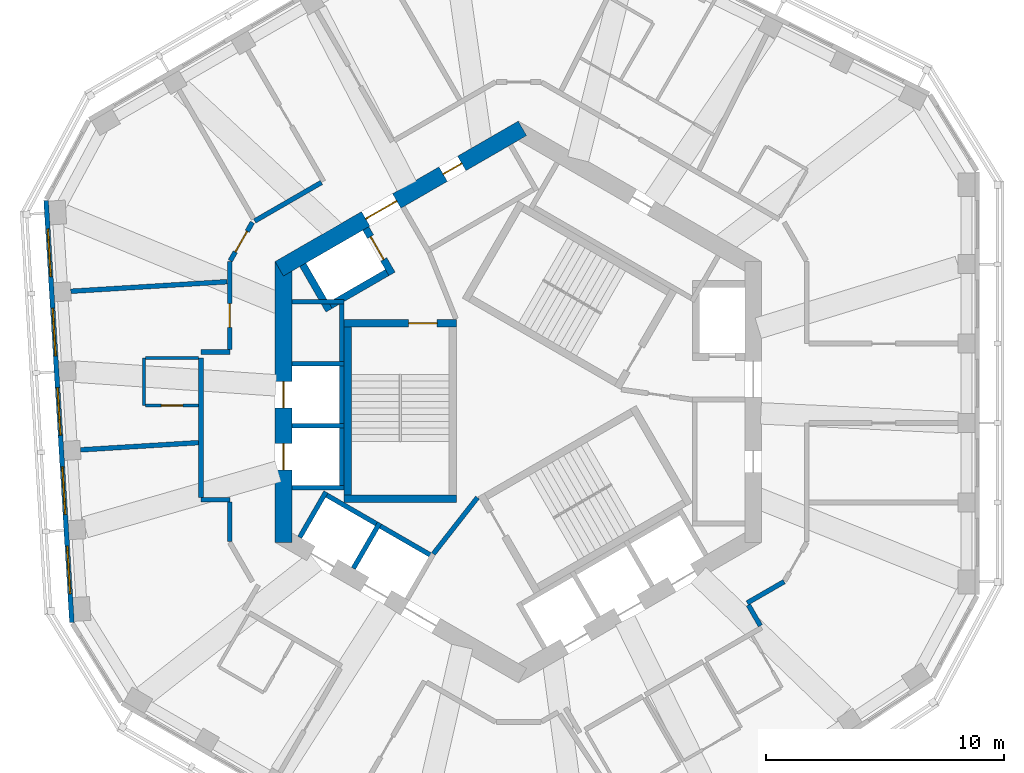
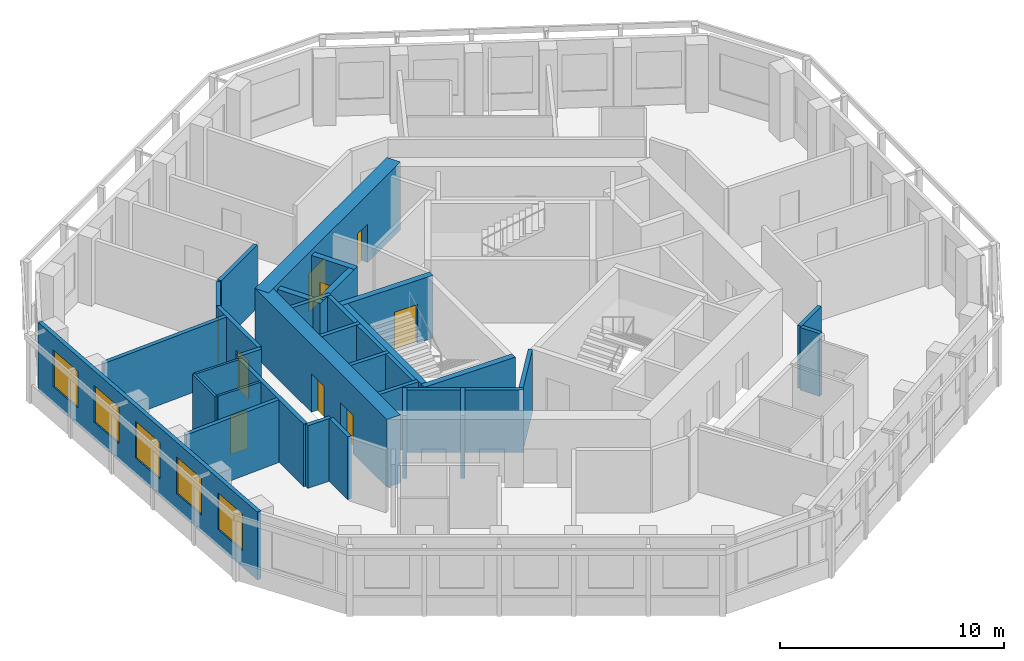
# One storey, part 5 of 11: 32 walls, 9 doors, 5 windows, 14 openings.
"""IFC4 building model written with IfcOpenShell, lengths in metres."""

import ifcopenshell
import ifcopenshell.guid

model = None  # the IFC model being written
_history = None  # IfcOwnerHistory: only IFC2X3 demands one
_inside = {}  # id of a spatial element -> (the spatial element, [elements in it])
_under = {}  # id of a project, library or spatial element -> (it, [spatial elements below it])
_declared = {}  # id of a project -> (the project, [libraries it declares])
_typed = {}  # id of a type object -> (the type object, [elements of that type])
_made_of = {}  # id of a material, layer set ... -> (it, [elements and type objects made of it])


def new_model(schema):
    """Start an empty IFC model of exactly this schema.

    Asked for "IFC4X3", IfcOpenShell would pick the latest addendum, in which some entities
    have other attributes; the version numbers below select the first issue.
    IFC2X3 requires an IfcOwnerHistory on every rooted entity: one is made here for all.
    """
    global model, _history
    if schema == "IFC4X3":
        model = ifcopenshell.file(schema_version=(4, 3, 0, 0))
    else:
        model = ifcopenshell.file(schema=schema)
    _inside.clear()
    _under.clear()
    _declared.clear()
    _typed.clear()
    _made_of.clear()
    _history = None
    if model.schema == "IFC2X3":
        org = make("IfcOrganization", Name="unknown")
        user = make(
            "IfcPersonAndOrganization",
            ThePerson=make("IfcPerson", FamilyName="unknown"),
            TheOrganization=org,
        )
        app = make(
            "IfcApplication",
            ApplicationDeveloper=org,
            Version="unknown",
            ApplicationFullName="unknown",
            ApplicationIdentifier="unknown",
        )
        _history = make(
            "IfcOwnerHistory",
            OwningUser=user,
            OwningApplication=app,
            ChangeAction="ADDED",
            CreationDate=0,
        )
    return model


def make(cls, **values):
    """One entity of the class cls with the attributes given. An attribute that is None is left unset."""
    return model.create_entity(
        cls, **{name: value for name, value in values.items() if value is not None}
    )


def rooted(cls, **values):
    """An entity with a GlobalId (a new one), such as an element, a storey or a relation."""
    return make(cls, GlobalId=ifcopenshell.guid.new(), OwnerHistory=_history, **values)


def si_unit(unit_type, name, prefix=None):
    """IfcSIUnit, for example si_unit("LENGTHUNIT", "METRE", prefix="MILLI")."""
    return make("IfcSIUnit", UnitType=unit_type, Prefix=prefix, Name=name)


def assignment(units):
    """IfcUnitAssignment: the units of a project."""
    return None if units is None else make("IfcUnitAssignment", Units=units)


def point(xyz):
    """IfcCartesianPoint."""
    return None if xyz is None else make("IfcCartesianPoint", Coordinates=xyz)


def direction(xyz):
    """IfcDirection."""
    return None if xyz is None else make("IfcDirection", DirectionRatios=xyz)


def frame(location, z_axis=None, x_axis=None):
    """IfcAxis2Placement3D, a coordinate frame: its origin and axes. An axis left out is left unset."""
    return make(
        "IfcAxis2Placement3D",
        Location=point(location),
        Axis=direction(z_axis),
        RefDirection=direction(x_axis),
    )


def frame_2d(location, x_axis=None):
    """IfcAxis2Placement2D, a coordinate frame in the plane: its origin and x axis."""
    return make(
        "IfcAxis2Placement2D", Location=point(location), RefDirection=direction(x_axis)
    )


def origin():
    """The frame at (0, 0, 0) with its axes left unset."""
    return frame((0.0, 0.0, 0.0))


def place(relative_to, where):
    """IfcLocalPlacement: puts the frame where relative to a parent placement (None: the world)."""
    return make(
        "IfcLocalPlacement", PlacementRelTo=relative_to, RelativePlacement=where
    )


def context(
    kind, dimensions, precision=None, world=None, true_north=None, identifier=None
):
    """IfcGeometricRepresentationContext, for example the 3D "Model" context."""
    return make(
        "IfcGeometricRepresentationContext",
        ContextIdentifier=identifier,
        ContextType=kind,
        CoordinateSpaceDimension=dimensions,
        Precision=precision,
        WorldCoordinateSystem=world,
        TrueNorth=true_north,
    )


def subcontext(parent, identifier, kind, view, scale=None):
    """IfcGeometricRepresentationSubContext, for example "Body" below "Model"."""
    return make(
        "IfcGeometricRepresentationSubContext",
        ContextIdentifier=identifier,
        ContextType=kind,
        ParentContext=parent,
        TargetScale=scale,
        TargetView=view,
    )


def project(units=None, contexts=None):
    """IfcProject with its units and contexts."""
    return rooted(
        "IfcProject",
        Name="project",
        RepresentationContexts=contexts,
        UnitsInContext=assignment(units),
    )


def spatial(cls, under=None, at=None, **own):
    """A site, building, storey or space (cls), placed at a placement, below another one or the project."""
    s = rooted(cls, ObjectPlacement=at, **own)
    if under is not None:
        _under.setdefault(under.id(), (under, []))[1].append(s)
    return s


def profile(cls, at=None, kind="AREA", **sizes):
    """A parametric profile (cls). Its sizes go by their IFC names, for example OverallWidth=200.0."""
    return make(cls, ProfileType=kind, Position=at, **sizes)


def rectangle(**sizes):
    """IfcRectangleProfileDef."""
    return profile("IfcRectangleProfileDef", **sizes)


def extrude(swept, where, along, depth):
    """IfcExtrudedAreaSolid: the profile swept, set in the frame where, extruded along a direction by depth."""
    return make(
        "IfcExtrudedAreaSolid",
        SweptArea=swept,
        Position=where,
        ExtrudedDirection=direction(along),
        Depth=depth,
    )


def shape(context_of_items, identifier, shape_type, items):
    """IfcShapeRepresentation: the items that make up one representation, for example the "Body"."""
    return make(
        "IfcShapeRepresentation",
        ContextOfItems=context_of_items,
        RepresentationIdentifier=identifier,
        RepresentationType=shape_type,
        Items=items,
    )


def material(Name=None, Category=None):
    """IfcMaterial."""
    return make("IfcMaterial", Name=Name, Category=Category)


def layer(
    of_material, thickness, ventilated=None, Name=None, Category=None, Priority=None
):
    """IfcMaterialLayer: one layer of a wall or slab, of a material (None: an air gap)."""
    return make(
        "IfcMaterialLayer",
        Material=of_material,
        LayerThickness=thickness,
        IsVentilated=ventilated,
        Name=Name,
        Category=Category,
        Priority=Priority,
    )


def layer_set(layers, Name=None):
    """IfcMaterialLayerSet."""
    return make("IfcMaterialLayerSet", MaterialLayers=layers, LayerSetName=Name)


def made_of(thing, what):
    """Note that an element or type object is made of a material, layer set ...; save() writes the relation."""
    if what is not None:
        _made_of.setdefault(what.id(), (what, []))[1].append(thing)
    return thing


def type_object(cls, material=None, **own):
    """A type object (cls), such as IfcWallType, which elements share."""
    return made_of(rooted(cls, **own), material)


def element(
    cls,
    number,
    at=None,
    inside=None,
    cuts=None,
    type_object=None,
    material=None,
    context=None,
    identifier="Body",
    shape_type=None,
    held_by="IfcProductDefinitionShape",
    body=None,
    shapes=None,
    **own,
):
    """One element of the class cls, such as IfcWall. Its Tag is "e" and its number.

    at: its placement. inside: the storey or other place that contains it. cuts: it is an
    opening in that element (IfcRelVoidsElement). A single representation is given by context,
    identifier, shape_type and body (its items); several are given by shapes. held_by: the class
    of the entity that holds the representations. save() writes the other relations.
    """
    e = rooted(cls, Tag="e%d" % number, ObjectPlacement=at, **own)
    if body is not None:
        shapes = [shape(context, identifier, shape_type, body)]
    if shapes is not None:
        e.Representation = make(held_by, Representations=shapes)
    if inside is not None:
        _inside.setdefault(inside.id(), (inside, []))[1].append(e)
    if cuts is not None:
        rooted(
            "IfcRelVoidsElement", RelatingBuildingElement=cuts, RelatedOpeningElement=e
        )
    if type_object is not None:
        _typed.setdefault(type_object.id(), (type_object, []))[1].append(e)
    return made_of(e, material)


def fill(opening, filler):
    """IfcRelFillsElement: the door or window that sits in an opening."""
    return rooted(
        "IfcRelFillsElement",
        RelatingOpeningElement=opening,
        RelatedBuildingElement=filler,
    )


def aggregate(whole, parts):
    """IfcRelAggregates: a whole, such as a stair, and the parts it consists of."""
    return rooted("IfcRelAggregates", RelatingObject=whole, RelatedObjects=parts)


def save(model, path):
    """Write the relations noted so far, then the file.

    IfcRelAggregates (storeys below a building ...), IfcRelContainedInSpatialStructure (elements
    in a storey), IfcRelDefinesByType, IfcRelAssociatesMaterial and IfcRelDeclares: one each for
    every whole, place, type object, material and project.
    """
    for whole, parts in _under.values():
        aggregate(whole, parts)
    for where, things in _inside.values():
        rooted(
            "IfcRelContainedInSpatialStructure",
            RelatedElements=things,
            RelatingStructure=where,
        )
    for kind, things in _typed.values():
        rooted("IfcRelDefinesByType", RelatedObjects=things, RelatingType=kind)
    for what, things in _made_of.values():
        rooted("IfcRelAssociatesMaterial", RelatedObjects=things, RelatingMaterial=what)
    for by, libraries in _declared.values():
        rooted("IfcRelDeclares", RelatingContext=by, RelatedDefinitions=libraries)
    model.write(path)


model = new_model("IFC4")

# Units and contexts
model_context = context("Model", 3, precision=1e-05, world=origin(), true_north=direction((0.0, 1.0)))
body_context = subcontext(model_context, "Body", "Model", "MODEL_VIEW")
ifc_project = project(units=[si_unit("LENGTHUNIT", "METRE"), si_unit("AREAUNIT", "SQUARE_METRE"), si_unit("VOLUMEUNIT", "CUBIC_METRE"), si_unit("PLANEANGLEUNIT", "RADIAN"), si_unit("MASSUNIT", "GRAM", prefix="KILO")], contexts=[model_context])

# Site, building, storey
site_placement = place(None, origin())
site = spatial("IfcSite", under=ifc_project, at=site_placement, CompositionType="ELEMENT")
building_placement = place(site_placement, origin())
building = spatial("IfcBuilding", under=site, at=building_placement, Name="Vanh Sen Convention Tower", CompositionType="ELEMENT")
storey_placement = place(building_placement, frame((0.0, 0.0, 285.699951171875)))
storey = spatial("IfcBuildingStorey", under=building, at=storey_placement, Name="L70", CompositionType="ELEMENT", Elevation=285.699951171875)

# Walls
ifc_material_1 = material(Name="Moisture-resistant gypsum board on steel studs", Category="steel")
ifc_layer_1 = layer(ifc_material_1, 0.1201171875)
ifc_layer_set_1 = layer_set([ifc_layer_1], Name="Moisture-resistant gypsum board on steel studs")
wall_type_1 = type_object("IfcWallType", Name="Bathroom partition 120", PredefinedType="PARTITIONING", material=ifc_layer_set_1)
wall_1_placement = place(storey_placement, frame((-15.700927734375, -0.14892578125, 0.0), z_axis=(0.0, 0.0, 1.0), x_axis=(0.0, 1.0, 0.0)))
element("IfcWall", 1, at=wall_1_placement, inside=storey, type_object=wall_type_1, Name="Bathroom partition 120", PredefinedType="PARTITIONING", context=body_context, shape_type="SweptSolid", body=[
    extrude(rectangle(XDim=2.0, YDim=0.1201171875, at=frame_2d((1.0, 0.0))), origin(), (0.0, 0.0, 1.0), 3.420166015625),
])
wall_2_placement = place(storey_placement, frame((-15.64111328125, 1.85107421875, 0.0), z_axis=(0.0, 0.0, 1.0), x_axis=(1.0, 0.0, 0.0)))
element("IfcWall", 2, at=wall_2_placement, inside=storey, type_object=wall_type_1, Name="Bathroom partition 120", PredefinedType="PARTITIONING", context=body_context, shape_type="SweptSolid", body=[
    extrude(rectangle(XDim=2.240234375, YDim=0.1201171875, at=frame_2d((1.1201171875, 0.0))), origin(), (0.0, 0.0, 1.0), 3.420166015625),
])

# Wall, opening, door
wall_3_placement = place(storey_placement, frame((-13.40087890625, -0.14892578125, 0.0), z_axis=(0.0, 0.0, 1.0), x_axis=(-1.0, 0.0, 0.0)))
wall_3 = element("IfcWall", 3, at=wall_3_placement, inside=storey, type_object=wall_type_1, Name="Bathroom partition 120", PredefinedType="PARTITIONING", context=body_context, shape_type="SweptSolid", body=[
    extrude(rectangle(XDim=2.240234375, YDim=0.1201171875, at=frame_2d((1.1201171875, 0.0))), origin(), (0.0, 0.0, 1.0), 3.420166015625),
])
opening_1_placement = place(wall_3_placement, frame((0.669921875, 0.0, 0.0)))
opening_1 = element("IfcOpeningElement", 4, at=opening_1_placement, cuts=wall_3, Name="Opening D70112", PredefinedType="OPENING", context=body_context, shape_type="SweptSolid", body=[
    extrude(rectangle(XDim=0.89990234375, YDim=2.10009765625, at=frame_2d((0.449951171875, 1.050048828125))), frame((0.0, 0.070068359375, 0.0), z_axis=(0.0, -1.0, 0.0), x_axis=(1.0, 0.0, 0.0)), (0.0, 0.0, 1.0), 0.14013671875),
])
ifc_material_2 = material(Name="Laminate door in steel frame", Category="steel")
door_type_1 = type_object("IfcDoorType", Name="Room internal door 900", OperationType="SINGLE_SWING_LEFT", PredefinedType="DOOR", material=ifc_material_2)
door_1_placement = place(opening_1_placement, origin())
door_1 = element("IfcDoor", 5, at=door_1_placement, inside=storey, type_object=door_type_1, Name="Internal room door D70112", OperationType="SINGLE_SWING_LEFT", OverallHeight=2.10009765625, OverallWidth=0.89990234375, PredefinedType="DOOR", context=body_context, shape_type="SweptSolid", body=[
    extrude(rectangle(XDim=0.89990234375, YDim=2.10009765625, at=frame_2d((0.449951171875, 1.050048828125))), frame((0.0, 0.02490234375, 0.0), z_axis=(0.0, -1.0, 0.0), x_axis=(1.0, 0.0, 0.0)), (0.0, 0.0, 1.0), 0.050048828125),
])
fill(opening_1, door_1)

# Wall, openings, doors
ifc_material_3 = material(Name="Concrete C60/75", Category="concrete")
ifc_layer_2 = layer(ifc_material_3, 0.699951171875)
ifc_layer_set_2 = layer_set([ifc_layer_2], Name="Concrete C60/75")
wall_type_2 = type_object("IfcWallType", Name="Core outer wall 700 C60/75", PredefinedType="SHEAR", material=ifc_layer_set_2)
wall_4_placement = place(storey_placement, frame((0.175048828125, 11.474853515625, 0.0), z_axis=(0.0, 0.0, 1.0), x_axis=(-0.866026453023, -0.499998182661, 0.0)))
wall_4 = element("IfcWall", 6, at=wall_4_placement, inside=storey, type_object=wall_type_2, Name="Core wall face NW L70", PredefinedType="SHEAR", context=body_context, shape_type="SweptSolid", body=[
    extrude(rectangle(XDim=11.77783203125, YDim=0.699951171875, at=frame_2d((5.888916015625, 0.0))), origin(), (0.0, 0.0, 1.0), 3.699951171875),
])
opening_2_placement = place(wall_4_placement, frame((6.089111328125, 0.0, 0.0)))
opening_2 = element("IfcOpeningElement", 7, at=opening_2_placement, cuts=wall_4, Name="Opening D70002", PredefinedType="OPENING", context=body_context, shape_type="SweptSolid", body=[
    extrude(rectangle(XDim=1.5, YDim=2.10009765625, at=frame_2d((0.75, 1.050048828125))), frame((0.0, 0.35986328125, 0.0), z_axis=(0.0, -1.0, 0.0), x_axis=(1.0, 0.0, 0.0)), (0.0, 0.0, 1.0), 0.719970703125),
])
opening_3_placement = place(wall_4_placement, frame((2.93896484375, 0.0, 0.0)))
opening_3 = element("IfcOpeningElement", 8, at=opening_3_placement, cuts=wall_4, Name="Opening D70010", PredefinedType="OPENING", context=body_context, shape_type="SweptSolid", body=[
    extrude(rectangle(XDim=0.89990234375, YDim=2.10009765625, at=frame_2d((0.449951171875, 1.050048828125))), frame((0.0, 0.35986328125, 0.0), z_axis=(0.0, -1.0, 0.0), x_axis=(1.0, 0.0, 0.0)), (0.0, 0.0, 1.0), 0.719970703125),
])
ifc_material_4 = material(Name="Steel S355", Category="steel")
door_type_2 = type_object("IfcDoorType", Name="Plant door 900", OperationType="SINGLE_SWING_LEFT", PredefinedType="DOOR", material=ifc_material_4)
door_2_placement = place(opening_3_placement, origin())
door_2 = element("IfcDoor", 9, at=door_2_placement, inside=storey, type_object=door_type_2, Name="Plant door D70010", OperationType="SINGLE_SWING_LEFT", OverallHeight=2.10009765625, OverallWidth=0.89990234375, PredefinedType="DOOR", context=body_context, shape_type="SweptSolid", body=[
    extrude(rectangle(XDim=0.89990234375, YDim=2.10009765625, at=frame_2d((0.449951171875, 1.050048828125))), frame((0.0, 0.02490234375, 0.0), z_axis=(0.0, -1.0, 0.0), x_axis=(1.0, 0.0, 0.0)), (0.0, 0.0, 1.0), 0.050048828125),
])
fill(opening_3, door_2)
door_type_3 = type_object("IfcDoorType", Name="Stair lobby door 1500", OperationType="DOUBLE_DOOR_SINGLE_SWING", PredefinedType="DOOR", material=ifc_material_4)
door_3_placement = place(opening_2_placement, origin())
door_3 = element("IfcDoor", 10, at=door_3_placement, inside=storey, type_object=door_type_3, Name="Stair lobby door D70002", OperationType="DOUBLE_DOOR_SINGLE_SWING", OverallHeight=2.10009765625, OverallWidth=1.5, PredefinedType="DOOR", context=body_context, shape_type="SweptSolid", body=[
    extrude(rectangle(XDim=1.5, YDim=2.10009765625, at=frame_2d((0.75, 1.050048828125))), frame((0.0, 0.02490234375, 0.0), z_axis=(0.0, -1.0, 0.0), x_axis=(1.0, 0.0, 0.0)), (0.0, 0.0, 1.0), 0.050048828125),
])
fill(opening_2, door_3)

wall_5_placement = place(storey_placement, frame((-9.85009765625, 5.888916015625, 0.0), z_axis=(0.0, 0.0, 1.0), x_axis=(0.0, -1.0, 0.0)))
wall_5 = element("IfcWall", 11, at=wall_5_placement, inside=storey, type_object=wall_type_2, Name="Core wall face W L70", PredefinedType="SHEAR", context=body_context, shape_type="SweptSolid", body=[
    extrude(rectangle(XDim=11.77783203125, YDim=0.699951171875, at=frame_2d((5.888916015625, 0.0))), origin(), (0.0, 0.0, 1.0), 3.699951171875),
])
opening_4_placement = place(wall_5_placement, frame((5.0390625, 0.0, 0.0)))
opening_4 = element("IfcOpeningElement", 12, at=opening_4_placement, cuts=wall_5, Name="Opening LD-HR1", PredefinedType="OPENING", context=body_context, shape_type="SweptSolid", body=[
    extrude(rectangle(XDim=1.10009765625, YDim=2.10009765625, at=frame_2d((0.550048828125, 1.050048828125))), frame((0.0, 0.35986328125, 0.0), z_axis=(0.0, -1.0, 0.0), x_axis=(1.0, 0.0, 0.0)), (0.0, 0.0, 1.0), 0.719970703125),
])
opening_5_placement = place(wall_5_placement, frame((7.638916015625, 0.0, 0.0)))
opening_5 = element("IfcOpeningElement", 13, at=opening_5_placement, cuts=wall_5, Name="Opening LD-HR2", PredefinedType="OPENING", context=body_context, shape_type="SweptSolid", body=[
    extrude(rectangle(XDim=1.10009765625, YDim=2.10009765625, at=frame_2d((0.550048828125, 1.050048828125))), frame((0.0, 0.35986328125, 0.0), z_axis=(0.0, -1.0, 0.0), x_axis=(1.0, 0.0, 0.0)), (0.0, 0.0, 1.0), 0.719970703125),
])
ifc_material_5 = material(Name="Stainless steel", Category="steel")
door_type_4 = type_object("IfcDoorType", Name="Lift landing door 1100", OperationType="DOUBLE_DOOR_SLIDING", PredefinedType="DOOR", material=ifc_material_5)
door_4_placement = place(opening_4_placement, origin())
door_4 = element("IfcDoor", 14, at=door_4_placement, inside=storey, type_object=door_type_4, Name="Lift HR1 landing door LD-HR1", OperationType="DOUBLE_DOOR_SLIDING", OverallHeight=2.10009765625, OverallWidth=1.10009765625, PredefinedType="DOOR", context=body_context, shape_type="SweptSolid", body=[
    extrude(rectangle(XDim=1.10009765625, YDim=2.10009765625, at=frame_2d((0.550048828125, 1.050048828125))), frame((0.0, 0.02490234375, 0.0), z_axis=(0.0, -1.0, 0.0), x_axis=(1.0, 0.0, 0.0)), (0.0, 0.0, 1.0), 0.050048828125),
])
fill(opening_4, door_4)
door_5_placement = place(opening_5_placement, origin())
door_5 = element("IfcDoor", 15, at=door_5_placement, inside=storey, type_object=door_type_4, Name="Lift HR2 landing door LD-HR2", OperationType="DOUBLE_DOOR_SLIDING", OverallHeight=2.10009765625, OverallWidth=1.10009765625, PredefinedType="DOOR", context=body_context, shape_type="SweptSolid", body=[
    extrude(rectangle(XDim=1.10009765625, YDim=2.10009765625, at=frame_2d((0.550048828125, 1.050048828125))), frame((0.0, 0.02490234375, 0.0), z_axis=(0.0, -1.0, 0.0), x_axis=(1.0, 0.0, 0.0)), (0.0, 0.0, 1.0), 0.050048828125),
])
fill(opening_5, door_5)

# Walls
ifc_material_6 = material(Name="Gypsum board on steel studs with mineral wool", Category="steel")
ifc_layer_3 = layer(ifc_material_6, 0.199951171875)
ifc_layer_set_3 = layer_set([ifc_layer_3], Name="Gypsum board on steel studs with mineral wool")
wall_type_3 = type_object("IfcWallType", Name="Corridor partition wall 200", PredefinedType="PARTITIONING", material=ifc_layer_set_3)
wall_6_placement = place(storey_placement, frame((-13.301025390625, -4.10107421875, 0.0), z_axis=(0.0, 0.0, 1.0), x_axis=(1.0, 0.0, 0.0)))
element("IfcWall", 16, at=wall_6_placement, inside=storey, type_object=wall_type_3, Name="Corridor partition wall 200", PredefinedType="PARTITIONING", context=body_context, shape_type="SweptSolid", body=[
    extrude(rectangle(XDim=1.200927734375, YDim=0.199951171875, at=frame_2d((0.6005859375, 0.0))), origin(), (0.0, 0.0, 1.0), 3.420166015625),
])
wall_7_placement = place(storey_placement, frame((-13.301025390625, 1.85107421875, 0.0), z_axis=(0.0, 0.0, 1.0), x_axis=(0.0, -1.0, 0.0)))
element("IfcWall", 17, at=wall_7_placement, inside=storey, type_object=wall_type_3, Name="Corridor partition wall 200", PredefinedType="PARTITIONING", context=body_context, shape_type="SweptSolid", body=[
    extrude(rectangle(XDim=5.85205078125, YDim=0.199951171875, at=frame_2d((2.926025390625, 0.0))), origin(), (0.0, 0.0, 1.0), 3.420166015625),
])
wall_8_placement = place(storey_placement, frame((-12.10009765625, -4.200927734375, 0.0), z_axis=(0.0, 0.0, 1.0), x_axis=(0.0, -1.0, 0.0)))
element("IfcWall", 18, at=wall_8_placement, inside=storey, type_object=wall_type_3, Name="Corridor partition wall 200", PredefinedType="PARTITIONING", context=body_context, shape_type="SweptSolid", body=[
    extrude(rectangle(XDim=1.648193359375, YDim=0.199951171875, at=frame_2d((0.82421875, 0.0))), origin(), (0.0, 0.0, 1.0), 3.420166015625),
])
wall_9_placement = place(storey_placement, frame((-12.10009765625, 2.10107421875, 0.0), z_axis=(0.0, 0.0, 1.0), x_axis=(-1.0, 0.0, 0.0)))
element("IfcWall", 19, at=wall_9_placement, inside=storey, type_object=wall_type_3, Name="Corridor partition wall 200", PredefinedType="PARTITIONING", context=body_context, shape_type="SweptSolid", body=[
    extrude(rectangle(XDim=1.200927734375, YDim=0.199951171875, at=frame_2d((0.6005859375, 0.0))), origin(), (0.0, 0.0, 1.0), 3.420166015625),
])

# Wall, opening, door
wall_10_placement = place(storey_placement, frame((-12.10009765625, 5.888916015625, 0.0), z_axis=(0.0, 0.0, 1.0), x_axis=(0.0, -1.0, 0.0)))
wall_10 = element("IfcWall", 20, at=wall_10_placement, inside=storey, type_object=wall_type_3, Name="Corridor partition wall 200", PredefinedType="PARTITIONING", context=body_context, shape_type="SweptSolid", body=[
    extrude(rectangle(XDim=3.68798828125, YDim=0.199951171875, at=frame_2d((1.843994140625, 0.0))), origin(), (0.0, 0.0, 1.0), 3.420166015625),
])
opening_6_placement = place(wall_10_placement, frame((1.76318359375, 0.0, 0.0)))
opening_6 = element("IfcOpeningElement", 21, at=opening_6_placement, cuts=wall_10, Name="Opening D70111", PredefinedType="OPENING", context=body_context, shape_type="SweptSolid", body=[
    extrude(rectangle(XDim=1.0, YDim=2.10009765625, at=frame_2d((0.5, 1.050048828125))), frame((0.0, 0.10986328125, 0.0), z_axis=(0.0, -1.0, 0.0), x_axis=(1.0, 0.0, 0.0)), (0.0, 0.0, 1.0), 0.219970703125),
])
ifc_material_7 = material(Name="Glazed fire door in steel frame", Category="steel")
door_type_5 = type_object("IfcDoorType", Name="Tenant entrance door 1000", OperationType="SINGLE_SWING_LEFT", PredefinedType="DOOR", material=ifc_material_7)
door_6_placement = place(opening_6_placement, origin())
door_6 = element("IfcDoor", 22, at=door_6_placement, inside=storey, type_object=door_type_5, Name="Tenant suite entrance door D70111", OperationType="SINGLE_SWING_LEFT", OverallHeight=2.10009765625, OverallWidth=1.0, PredefinedType="DOOR", context=body_context, shape_type="SweptSolid", body=[
    extrude(rectangle(XDim=1.0, YDim=2.10009765625, at=frame_2d((0.5, 1.050048828125))), frame((0.0, 0.02490234375, 0.0), z_axis=(0.0, -1.0, 0.0), x_axis=(1.0, 0.0, 0.0)), (0.0, 0.0, 1.0), 0.050048828125),
])
fill(opening_6, door_6)

wall_11_placement = place(storey_placement, frame((-11.14990234375, 7.534423828125, 0.0), z_axis=(0.0, 0.0, 1.0), x_axis=(-0.500063286585, -0.865988862174, 0.0)))
wall_11 = element("IfcWall", 23, at=wall_11_placement, inside=storey, type_object=wall_type_3, Name="Corridor partition wall 200", PredefinedType="PARTITIONING", context=body_context, shape_type="SweptSolid", body=[
    extrude(rectangle(XDim=1.860107421875, YDim=0.199951171875, at=frame_2d((0.93017578125, 0.0))), origin(), (0.0, 0.0, 1.0), 3.420166015625),
])
opening_7_placement = place(wall_11_placement, frame((0.43017578125, 0.0, 0.0)))
opening_7 = element("IfcOpeningElement", 24, at=opening_7_placement, cuts=wall_11, Name="Opening D70110", PredefinedType="OPENING", context=body_context, shape_type="SweptSolid", body=[
    extrude(rectangle(XDim=1.0, YDim=2.10009765625, at=frame_2d((0.5, 1.050048828125))), frame((0.0, 0.10986328125, 0.0), z_axis=(0.0, -1.0, 0.0), x_axis=(1.0, 0.0, 0.0)), (0.0, 0.0, 1.0), 0.219970703125),
])
ifc_material_8 = material(Name="Timber fire door in steel frame", Category="steel")
door_type_6 = type_object("IfcDoorType", Name="Floor room door 1000", OperationType="SINGLE_SWING_LEFT", PredefinedType="DOOR", material=ifc_material_8)
door_7_placement = place(opening_7_placement, origin())
door_7 = element("IfcDoor", 25, at=door_7_placement, inside=storey, type_object=door_type_6, Name="Meeting and amenity room door D70110", OperationType="SINGLE_SWING_LEFT", OverallHeight=2.10009765625, OverallWidth=1.0, PredefinedType="DOOR", context=body_context, shape_type="SweptSolid", body=[
    extrude(rectangle(XDim=1.0, YDim=2.10009765625, at=frame_2d((0.5, 1.050048828125))), frame((0.0, 0.02490234375, 0.0), z_axis=(0.0, -1.0, 0.0), x_axis=(1.0, 0.0, 0.0)), (0.0, 0.0, 1.0), 0.050048828125),
])
fill(opening_7, door_7)

# Walls
wall_12_placement = place(storey_placement, frame((-8.2568359375, 9.204833984375, 0.0), z_axis=(0.0, 0.0, 1.0), x_axis=(-0.866030838723, -0.499990586292, 0.0)))
element("IfcWall", 26, at=wall_12_placement, inside=storey, type_object=wall_type_3, Name="Corridor partition wall 200", PredefinedType="PARTITIONING", context=body_context, shape_type="SweptSolid", body=[
    extrude(rectangle(XDim=3.2314453125, YDim=0.199951171875, at=frame_2d((1.61572265625, 0.0))), origin(), (0.0, 0.0, 1.0), 3.420166015625),
])
wall_13_placement = place(storey_placement, frame((9.6015625, -8.428466796875, 0.0), z_axis=(0.0, 0.0, 1.0), x_axis=(0.865999114786, 0.500045531117, 0.0)))
element("IfcWall", 27, at=wall_13_placement, inside=storey, type_object=wall_type_3, Name="Corridor partition wall 200", PredefinedType="PARTITIONING", context=body_context, shape_type="SweptSolid", body=[
    extrude(rectangle(XDim=1.787841796875, YDim=0.199951171875, at=frame_2d((0.89404296875, 0.0))), origin(), (0.0, 0.0, 1.0), 3.420166015625),
])
wall_14_placement = place(storey_placement, frame((10.152099609375, -9.3818359375, 0.0), z_axis=(0.0, 0.0, 1.0), x_axis=(-0.499968756647, 0.866043441391, 0.0)))
element("IfcWall", 28, at=wall_14_placement, inside=storey, type_object=wall_type_3, Name="Corridor partition wall 200", PredefinedType="PARTITIONING", context=body_context, shape_type="SweptSolid", body=[
    extrude(rectangle(XDim=1.0009765625, YDim=0.199951171875, at=frame_2d((0.50048828125, 0.0))), origin(), (0.0, 0.0, 1.0), 3.420166015625),
])

# Wall, openings, windows
ifc_material_9 = material(Name="Insulated lightweight infill wall")
ifc_layer_4 = layer(ifc_material_9, 0.199951171875)
ifc_layer_set_4 = layer_set([ifc_layer_4], Name="Insulated lightweight infill wall")
wall_type_4 = type_object("IfcWallType", Name="External wall 200", PredefinedType="STANDARD", material=ifc_layer_set_4)
wall_15_placement = place(storey_placement, frame((-19.802978515625, 8.4541015625, 0.0), z_axis=(0.0, 0.0, 1.0), x_axis=(0.061036717565, -0.998135521414, 0.0)))
wall_15 = element("IfcWall", 29, at=wall_15_placement, inside=storey, type_object=wall_type_4, Name="External wall W L70", PredefinedType="STANDARD", context=body_context, shape_type="SweptSolid", body=[
    extrude(rectangle(XDim=17.7314453125, YDim=0.199951171875, at=frame_2d((8.86572265625, 0.0))), origin(), (0.0, 0.0, 1.0), 3.699951171875),
])
opening_8_placement = place(wall_15_placement, frame((1.20166015625, 0.0, 0.89990234375)))
opening_8 = element("IfcOpeningElement", 30, at=opening_8_placement, cuts=wall_15, Name="Opening WO5-W1", PredefinedType="OPENING", context=body_context, shape_type="SweptSolid", body=[
    extrude(rectangle(XDim=2.0, YDim=2.0, at=frame_2d((1.0, 1.0))), frame((0.0, 0.10986328125, 0.0), z_axis=(0.0, -1.0, 0.0), x_axis=(1.0, 0.0, 0.0)), (0.0, 0.0, 1.0), 0.219970703125),
])
opening_9_placement = place(wall_15_placement, frame((4.533203125, 0.0, 0.89990234375)))
opening_9 = element("IfcOpeningElement", 31, at=opening_9_placement, cuts=wall_15, Name="Opening WO5-W2", PredefinedType="OPENING", context=body_context, shape_type="SweptSolid", body=[
    extrude(rectangle(XDim=2.0, YDim=2.0, at=frame_2d((1.0, 1.0))), frame((0.0, 0.10986328125, 0.0), z_axis=(0.0, -1.0, 0.0), x_axis=(1.0, 0.0, 0.0)), (0.0, 0.0, 1.0), 0.219970703125),
])
opening_10_placement = place(wall_15_placement, frame((7.864990234375, 0.0, 0.89990234375)))
opening_10 = element("IfcOpeningElement", 32, at=opening_10_placement, cuts=wall_15, Name="Opening WO5-W3", PredefinedType="OPENING", context=body_context, shape_type="SweptSolid", body=[
    extrude(rectangle(XDim=2.0, YDim=2.0, at=frame_2d((1.0, 1.0))), frame((0.0, 0.10986328125, 0.0), z_axis=(0.0, -1.0, 0.0), x_axis=(1.0, 0.0, 0.0)), (0.0, 0.0, 1.0), 0.219970703125),
])
opening_11_placement = place(wall_15_placement, frame((11.196533203125, 0.0, 0.89990234375)))
opening_11 = element("IfcOpeningElement", 33, at=opening_11_placement, cuts=wall_15, Name="Opening WO5-W4", PredefinedType="OPENING", context=body_context, shape_type="SweptSolid", body=[
    extrude(rectangle(XDim=2.0, YDim=2.0, at=frame_2d((1.0, 1.0))), frame((0.0, 0.10986328125, 0.0), z_axis=(0.0, -1.0, 0.0), x_axis=(1.0, 0.0, 0.0)), (0.0, 0.0, 1.0), 0.219970703125),
])
opening_12_placement = place(wall_15_placement, frame((14.5283203125, 0.0, 0.89990234375)))
opening_12 = element("IfcOpeningElement", 34, at=opening_12_placement, cuts=wall_15, Name="Opening WO5-W5", PredefinedType="OPENING", context=body_context, shape_type="SweptSolid", body=[
    extrude(rectangle(XDim=2.0, YDim=2.0, at=frame_2d((1.0, 1.0))), frame((0.0, 0.10986328125, 0.0), z_axis=(0.0, -1.0, 0.0), x_axis=(1.0, 0.0, 0.0)), (0.0, 0.0, 1.0), 0.219970703125),
])
ifc_material_10 = material(Name="Aluminium frame with clear low-emissivity glass", Category="aluminium")
window_type = type_object("IfcWindowType", Name="Office window 2000 x 2000", PartitioningType="SINGLE_PANEL", PredefinedType="WINDOW", material=ifc_material_10)
window_1_placement = place(opening_8_placement, origin())
window_1 = element("IfcWindow", 35, at=window_1_placement, inside=storey, type_object=window_type, Name="Window WO5-W1", OverallHeight=2.0, OverallWidth=2.0, PartitioningType="SINGLE_PANEL", PredefinedType="WINDOW", context=body_context, shape_type="SweptSolid", body=[
    extrude(rectangle(XDim=2.0, YDim=2.0, at=frame_2d((1.0, 1.0))), frame((0.0, 0.030029296875, 0.0), z_axis=(0.0, -1.0, 0.0), x_axis=(1.0, 0.0, 0.0)), (0.0, 0.0, 1.0), 0.06005859375),
])
fill(opening_8, window_1)
window_2_placement = place(opening_9_placement, origin())
window_2 = element("IfcWindow", 36, at=window_2_placement, inside=storey, type_object=window_type, Name="Window WO5-W2", OverallHeight=2.0, OverallWidth=2.0, PartitioningType="SINGLE_PANEL", PredefinedType="WINDOW", context=body_context, shape_type="SweptSolid", body=[
    extrude(rectangle(XDim=2.0, YDim=2.0, at=frame_2d((1.0, 1.0))), frame((0.0, 0.030029296875, 0.0), z_axis=(0.0, -1.0, 0.0), x_axis=(1.0, 0.0, 0.0)), (0.0, 0.0, 1.0), 0.06005859375),
])
fill(opening_9, window_2)
window_3_placement = place(opening_10_placement, origin())
window_3 = element("IfcWindow", 37, at=window_3_placement, inside=storey, type_object=window_type, Name="Window WO5-W3", OverallHeight=2.0, OverallWidth=2.0, PartitioningType="SINGLE_PANEL", PredefinedType="WINDOW", context=body_context, shape_type="SweptSolid", body=[
    extrude(rectangle(XDim=2.0, YDim=2.0, at=frame_2d((1.0, 1.0))), frame((0.0, 0.030029296875, 0.0), z_axis=(0.0, -1.0, 0.0), x_axis=(1.0, 0.0, 0.0)), (0.0, 0.0, 1.0), 0.06005859375),
])
fill(opening_10, window_3)
window_4_placement = place(opening_11_placement, origin())
window_4 = element("IfcWindow", 38, at=window_4_placement, inside=storey, type_object=window_type, Name="Window WO5-W4", OverallHeight=2.0, OverallWidth=2.0, PartitioningType="SINGLE_PANEL", PredefinedType="WINDOW", context=body_context, shape_type="SweptSolid", body=[
    extrude(rectangle(XDim=2.0, YDim=2.0, at=frame_2d((1.0, 1.0))), frame((0.0, 0.030029296875, 0.0), z_axis=(0.0, -1.0, 0.0), x_axis=(1.0, 0.0, 0.0)), (0.0, 0.0, 1.0), 0.06005859375),
])
fill(opening_11, window_4)
window_5_placement = place(opening_12_placement, origin())
window_5 = element("IfcWindow", 39, at=window_5_placement, inside=storey, type_object=window_type, Name="Window WO5-W5", OverallHeight=2.0, OverallWidth=2.0, PartitioningType="SINGLE_PANEL", PredefinedType="WINDOW", context=body_context, shape_type="SweptSolid", body=[
    extrude(rectangle(XDim=2.0, YDim=2.0, at=frame_2d((1.0, 1.0))), frame((0.0, 0.030029296875, 0.0), z_axis=(0.0, -1.0, 0.0), x_axis=(1.0, 0.0, 0.0)), (0.0, 0.0, 1.0), 0.06005859375),
])
fill(opening_12, window_5)

# Wall, opening, door
ifc_layer_5 = layer(ifc_material_3, 0.300048828125)
ifc_layer_set_5 = layer_set([ifc_layer_5], Name="Concrete C60/75")
wall_type_5 = type_object("IfcWallType", Name="Fire-fighting lift shaft wall 300", PredefinedType="SHEAR", material=ifc_layer_set_5)
wall_16_placement = place(storey_placement, frame((-5.29541015625, 5.3720703125, 0.0), z_axis=(0.0, 0.0, 1.0), x_axis=(-0.500077893725, 0.86598042715, 0.0)))
wall_16 = element("IfcWall", 40, at=wall_16_placement, inside=storey, type_object=wall_type_5, Name="Fire-fighting lift shaft wall L70", PredefinedType="SHEAR", context=body_context, shape_type="SweptSolid", body=[
    extrude(rectangle(XDim=2.199951171875, YDim=0.300048828125, at=frame_2d((1.10009765625, 0.0))), origin(), (0.0, 0.0, 1.0), 3.420166015625),
])
opening_13_placement = place(wall_16_placement, frame((0.699951171875, 0.0, 0.0)))
opening_13 = element("IfcOpeningElement", 41, at=opening_13_placement, cuts=wall_16, Name="Opening LD-FF2", PredefinedType="OPENING", context=body_context, shape_type="SweptSolid", body=[
    extrude(rectangle(XDim=1.10009765625, YDim=2.10009765625, at=frame_2d((0.550048828125, 1.050048828125))), frame((0.0, 0.159912109375, 0.0), z_axis=(0.0, -1.0, 0.0), x_axis=(1.0, 0.0, 0.0)), (0.0, 0.0, 1.0), 0.320068359375),
])
door_type_7 = type_object("IfcDoorType", Name="Fire-fighting lift landing door 1100", OperationType="DOUBLE_DOOR_SLIDING", PredefinedType="DOOR", material=ifc_material_5)
door_8_placement = place(opening_13_placement, origin())
door_8 = element("IfcDoor", 42, at=door_8_placement, inside=storey, type_object=door_type_7, Name="Lift FF2 landing door LD-FF2", OperationType="DOUBLE_DOOR_SLIDING", OverallHeight=2.10009765625, OverallWidth=1.10009765625, PredefinedType="DOOR", context=body_context, shape_type="SweptSolid", body=[
    extrude(rectangle(XDim=1.10009765625, YDim=2.10009765625, at=frame_2d((0.550048828125, 1.050048828125))), frame((0.0, 0.02490234375, 0.0), z_axis=(0.0, -1.0, 0.0), x_axis=(1.0, 0.0, 0.0)), (0.0, 0.0, 1.0), 0.050048828125),
])
fill(opening_13, door_8)

# Walls
wall_17_placement = place(storey_placement, frame((-5.240478515625, 5.576904296875, 0.0), z_axis=(0.0, 0.0, 1.0), x_axis=(-0.866014461049, -0.500018952895, 0.0)))
element("IfcWall", 43, at=wall_17_placement, inside=storey, type_object=wall_type_5, Name="Fire-fighting lift shaft wall L70", PredefinedType="SHEAR", context=body_context, shape_type="SweptSolid", body=[
    extrude(rectangle(XDim=3.349853515625, YDim=0.300048828125, at=frame_2d((1.6748046875, 0.0))), origin(), (0.0, 0.0, 1.0), 3.420166015625),
])
wall_18_placement = place(storey_placement, frame((-7.936767578125, 3.846923828125, 0.0), z_axis=(0.0, 0.0, 1.0), x_axis=(-0.50002983664, 0.866008176907, 0.0)))
element("IfcWall", 44, at=wall_18_placement, inside=storey, type_object=wall_type_5, Name="Fire-fighting lift shaft wall L70", PredefinedType="SHEAR", context=body_context, shape_type="SweptSolid", body=[
    extrude(rectangle(XDim=2.199951171875, YDim=0.300048828125, at=frame_2d((1.10009765625, 0.0))), origin(), (0.0, 0.0, 1.0), 3.420166015625),
])
ifc_material_11 = material(Name="Concrete C40/50", Category="concrete")
ifc_layer_6 = layer(ifc_material_11, 0.199951171875)
ifc_layer_set_6 = layer_set([ifc_layer_6], Name="Concrete C40/50")
wall_type_6 = type_object("IfcWallType", Name="Lift shaft wall 200", PredefinedType="PARTITIONING", material=ifc_layer_set_6)
wall_19_placement = place(storey_placement, frame((-7.39990234375, 4.300048828125, 0.0), z_axis=(0.0, 0.0, 1.0), x_axis=(0.0, -1.0, 0.0)))
element("IfcWall", 45, at=wall_19_placement, inside=storey, type_object=wall_type_6, Name="Lift shaft wall L70", PredefinedType="PARTITIONING", context=body_context, shape_type="SweptSolid", body=[
    extrude(rectangle(XDim=8.0, YDim=0.199951171875, at=frame_2d((4.0, 0.0))), origin(), (0.0, 0.0, 1.0), 3.420166015625),
])
for number, where, z_axis, x_axis, name in (
    (46, (-7.300048828125, 4.199951171875, 0.0), (0.0, 0.0, 1.0), (-1.0, 0.0, 0.0), "Lift shaft wall L70"),
    (47, (-7.300048828125, 1.60009765625, 0.0), (0.0, 0.0, 1.0), (-1.0, 0.0, 0.0), "Lift shaft wall L70"),
    (48, (-7.300048828125, -1.0, 0.0), (0.0, 0.0, 1.0), (-1.0, 0.0, 0.0), "Lift shaft wall L70"),
    (49, (-7.300048828125, -3.60009765625, 0.0), (0.0, 0.0, 1.0), (-1.0, 0.0, 0.0), "Lift shaft wall L70"),
):
    element("IfcWall", number, at=place(storey_placement, frame(where, z_axis=z_axis, x_axis=x_axis)), inside=storey, type_object=wall_type_6, Name=name, PredefinedType="PARTITIONING", context=body_context, shape_type="SweptSolid", body=[
        extrude(rectangle(XDim=2.199951171875, YDim=0.199951171875, at=frame_2d((1.10009765625, 0.0))), origin(), (0.0, 0.0, 1.0), 3.420166015625),
    ])
wall_20_placement = place(storey_placement, frame((-8.203369140625, -3.80859375, 0.0), z_axis=(0.0, 0.0, 1.0), x_axis=(0.866028230842, -0.499995103361, 0.0)))
element("IfcWall", 50, at=wall_20_placement, inside=storey, type_object=wall_type_6, Name="Lift shaft wall L70", PredefinedType="PARTITIONING", context=body_context, shape_type="SweptSolid", body=[
    extrude(rectangle(XDim=5.39990234375, YDim=0.199951171875, at=frame_2d((2.699951171875, 0.0))), origin(), (0.0, 0.0, 1.0), 3.420166015625),
])
for number, where, z_axis, x_axis, name in (
    (51, (-8.066650390625, -3.77197265625, 0.0), (0.0, 0.0, 1.0), (-0.50002983664, -0.866008176907, 0.0), "Lift shaft wall L70"),
    (52, (-5.815185546875, -5.072021484375, 0.0), (0.0, 0.0, 1.0), (-0.499946605688, -0.86605622881, 0.0), "Lift shaft wall L70"),
):
    element("IfcWall", number, at=place(storey_placement, frame(where, z_axis=z_axis, x_axis=x_axis)), inside=storey, type_object=wall_type_6, Name=name, PredefinedType="PARTITIONING", context=body_context, shape_type="SweptSolid", body=[
        extrude(rectangle(XDim=2.199951171875, YDim=0.199951171875, at=frame_2d((1.10009765625, 0.0))), origin(), (0.0, 0.0, 1.0), 3.420166015625),
    ])
ifc_layer_7 = layer(ifc_material_11, 0.199951171875)
ifc_layer_set_7 = layer_set([ifc_layer_7], Name="Concrete C40/50")
wall_type_7 = type_object("IfcWallType", Name="Stair lobby wall 200", PredefinedType="PARTITIONING", material=ifc_layer_set_7)
wall_21_placement = place(storey_placement, frame((-1.71240234375, -4.00830078125, 0.0), z_axis=(0.0, 0.0, 1.0), x_axis=(-0.616549420702, -0.787316208287, 0.0)))
element("IfcWall", 53, at=wall_21_placement, inside=storey, type_object=wall_type_7, Name="Stair lobby wall L70", PredefinedType="PARTITIONING", context=body_context, shape_type="SweptSolid", body=[
    extrude(rectangle(XDim=3.002197265625, YDim=0.199951171875, at=frame_2d((1.5009765625, 0.0))), origin(), (0.0, 0.0, 1.0), 3.420166015625),
])

# Wall, opening, door
ifc_layer_8 = layer(ifc_material_3, 0.300048828125)
ifc_layer_set_8 = layer_set([ifc_layer_8], Name="Concrete C60/75")
wall_type_8 = type_object("IfcWallType", Name="Stair wall 300", PredefinedType="SHEAR", material=ifc_layer_set_8)
wall_22_placement = place(storey_placement, frame((-2.60009765625, 3.300048828125, 0.0), z_axis=(0.0, 0.0, 1.0), x_axis=(-1.0, 0.0, 0.0)))
wall_22 = element("IfcWall", 54, at=wall_22_placement, inside=storey, type_object=wall_type_8, Name="Stair wall L70", PredefinedType="SHEAR", context=body_context, shape_type="SweptSolid", body=[
    extrude(rectangle(XDim=4.699951171875, YDim=0.300048828125, at=frame_2d((2.35009765625, 0.0))), origin(), (0.0, 0.0, 1.0), 3.420166015625),
])
opening_14_placement = place(wall_22_placement, frame((0.800048828125, 0.0, 0.0)))
opening_14 = element("IfcOpeningElement", 55, at=opening_14_placement, cuts=wall_22, Name="Opening D70005", PredefinedType="OPENING", context=body_context, shape_type="SweptSolid", body=[
    extrude(rectangle(XDim=1.199951171875, YDim=2.10009765625, at=frame_2d((0.60009765625, 1.050048828125))), frame((0.0, 0.159912109375, 0.0), z_axis=(0.0, -1.0, 0.0), x_axis=(1.0, 0.0, 0.0)), (0.0, 0.0, 1.0), 0.320068359375),
])
door_type_8 = type_object("IfcDoorType", Name="Stair door 1200", OperationType="SINGLE_SWING_RIGHT", PredefinedType="DOOR", material=ifc_material_4)
door_9_placement = place(opening_14_placement, origin())
door_9 = element("IfcDoor", 56, at=door_9_placement, inside=storey, type_object=door_type_8, Name="Stair ST2 door D70005", OperationType="SINGLE_SWING_RIGHT", OverallHeight=2.10009765625, OverallWidth=1.199951171875, PredefinedType="DOOR", context=body_context, shape_type="SweptSolid", body=[
    extrude(rectangle(XDim=1.199951171875, YDim=2.10009765625, at=frame_2d((0.60009765625, 1.050048828125))), frame((0.0, 0.02490234375, 0.0), z_axis=(0.0, -1.0, 0.0), x_axis=(1.0, 0.0, 0.0)), (0.0, 0.0, 1.0), 0.050048828125),
])
fill(opening_14, door_9)

# Walls
wall_23_placement = place(storey_placement, frame((-2.60009765625, -4.06005859375, 0.0), z_axis=(0.0, 0.0, 1.0), x_axis=(-1.0, 0.0, 0.0)))
element("IfcWall", 57, at=wall_23_placement, inside=storey, type_object=wall_type_8, Name="Stair wall L70", PredefinedType="SHEAR", context=body_context, shape_type="SweptSolid", body=[
    extrude(rectangle(XDim=4.699951171875, YDim=0.300048828125, at=frame_2d((2.35009765625, 0.0))), origin(), (0.0, 0.0, 1.0), 3.420166015625),
])
wall_24_placement = place(storey_placement, frame((-7.14990234375, 3.14990234375, 0.0), z_axis=(0.0, 0.0, 1.0), x_axis=(0.0, -1.0, 0.0)))
element("IfcWall", 58, at=wall_24_placement, inside=storey, type_object=wall_type_8, Name="Stair wall L70", PredefinedType="SHEAR", context=body_context, shape_type="SweptSolid", body=[
    extrude(rectangle(XDim=7.059814453125, YDim=0.300048828125, at=frame_2d((3.52978515625, 0.0))), origin(), (0.0, 0.0, 1.0), 3.420166015625),
])
ifc_layer_9 = layer(ifc_material_6, 0.199951171875)
ifc_layer_set_9 = layer_set([ifc_layer_9], Name="Gypsum board on steel studs with mineral wool")
wall_type_9 = type_object("IfcWallType", Name="Tenant suite wall 200", PredefinedType="PARTITIONING", material=ifc_layer_set_9)
wall_25_placement = place(storey_placement, frame((-18.768310546875, 4.642822265625, 0.0), z_axis=(0.0, 0.0, 1.0), x_axis=(0.99813496285, 0.0610458511, 0.0)))
element("IfcWall", 59, at=wall_25_placement, inside=storey, type_object=wall_type_9, Name="Tenant suite wall 200", PredefinedType="PARTITIONING", context=body_context, shape_type="SweptSolid", body=[
    extrude(rectangle(XDim=6.57080078125, YDim=0.199951171875, at=frame_2d((3.285400390625, 0.0))), origin(), (0.0, 0.0, 1.0), 3.420166015625),
])
wall_26_placement = place(storey_placement, frame((-18.36181640625, -2.008056640625, 0.0), z_axis=(0.0, 0.0, 1.0), x_axis=(0.998135748374, 0.061033005966, 0.0)))
element("IfcWall", 60, at=wall_26_placement, inside=storey, type_object=wall_type_9, Name="Tenant suite wall 200", PredefinedType="PARTITIONING", context=body_context, shape_type="SweptSolid", body=[
    extrude(rectangle(XDim=4.960205078125, YDim=0.199951171875, at=frame_2d((2.47998046875, 0.0))), origin(), (0.0, 0.0, 1.0), 3.420166015625),
])

save(model, "model.ifc")
